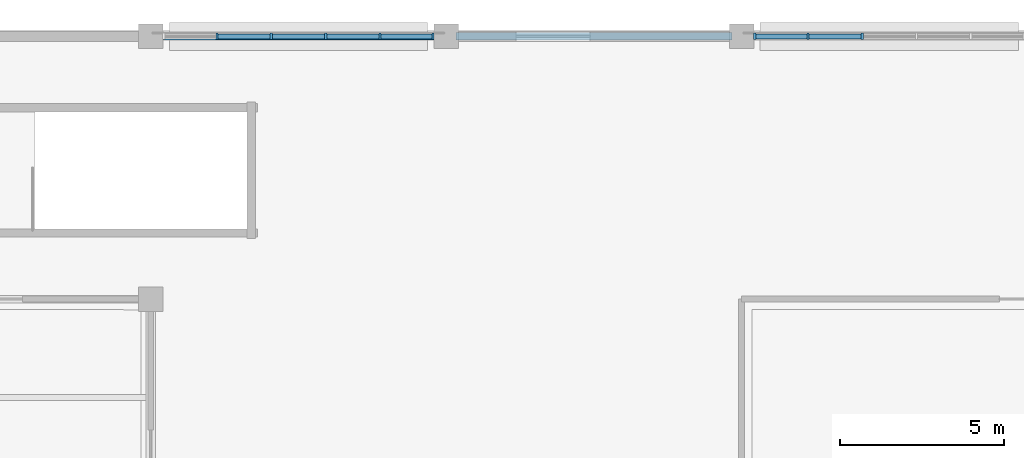
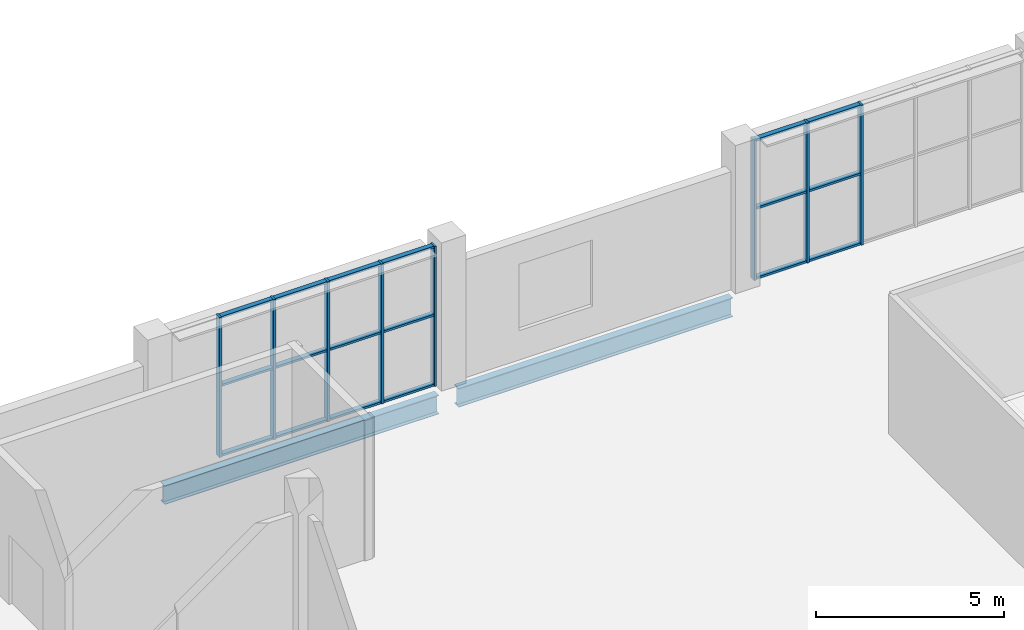
# One storey, part 65 of 152: 26 members, 2 beams, 2 elements without a shape of their own.
"""IFC4 building model written with IfcOpenShell, lengths in metres."""

from ifc_helpers import new_model, si_unit, direction, frame, origin, origin_2d, place, context, subcontext, project, spatial, rectangle, i_section, extrude, material, material_profile, profile_set, type_object, element, aggregate, save


model = new_model("IFC4")

# Units and contexts
model_context = context("Model", 3, precision=1e-05, world=origin(), true_north=direction((0.0, 1.0)))
body_context = subcontext(model_context, "Body", "Model", "MODEL_VIEW")
ifc_project = project(units=[si_unit("LENGTHUNIT", "METRE"), si_unit("AREAUNIT", "SQUARE_METRE"), si_unit("VOLUMEUNIT", "CUBIC_METRE"), si_unit("PLANEANGLEUNIT", "RADIAN"), si_unit("MASSUNIT", "GRAM", prefix="KILO")], contexts=[model_context])

# Site, building, storey
site_placement = place(None, origin())
site = spatial("IfcSite", under=ifc_project, at=site_placement, CompositionType="ELEMENT")
building_placement = place(site_placement, origin())
building = spatial("IfcBuilding", under=site, at=building_placement, Name="Zevraka Park Crest Stadium", CompositionType="ELEMENT")
storey_placement = place(building_placement, frame((0.0, 0.0, 15.0)))
storey = spatial("IfcBuildingStorey", under=building, at=storey_placement, Name="L03", CompositionType="ELEMENT", Elevation=15.0)

# Beams
ifc_material_1 = material(Name="Steel S355", Category="steel")
ifc_material_profile_1 = material_profile(ifc_material_1, i_section(OverallWidth=0.22900390625, OverallDepth=0.612060546875, WebThickness=0.011962890625, FlangeThickness=0.01953125, at=origin_2d()), Name="UKB 610x229x125")
ifc_profile_set_1 = profile_set([ifc_material_profile_1], Name="Steel S355")
beam_type = type_object("IfcBeamType", Name="BG09", PredefinedType="BEAM", material=ifc_profile_set_1)
for number, where, z_axis, x_axis, name in (
    (1, (170.300048828125, 184.0, -0.614013671875), (1.0, 0.0, 0.0), (0.0, 1.0, 0.0), "Wing Girder BG09 L03-1920/W"),
    (2, (179.300048828125, 184.0, -0.614013671875), (1.0, 0.0, 0.0), (0.0, 1.0, 0.0), "Wing Girder BG09 L03-2021/W"),
):
    element("IfcBeam", number, at=place(storey_placement, frame(where, z_axis=z_axis, x_axis=x_axis)), inside=storey, type_object=beam_type, Name=name, PredefinedType="BEAM", context=body_context, shape_type="SweptSolid", body=[
        extrude(i_section(OverallWidth=0.22900390625, OverallDepth=0.612060546875, WebThickness=0.011962890625, FlangeThickness=0.01953125, at=origin_2d()), origin(), (0.0, 0.0, 1.0), 8.39990234375),
    ])

# Curtain wall, members
ifc_material_2 = material(Name="Anodised architectural aluminium and laminated safety glass", Category="aluminium")
curtain_wall_type_1 = type_object("IfcCurtainWallType", Name="CW30", PredefinedType="NOTDEFINED", material=ifc_material_2)
curtain_wall_1_placement = place(storey_placement, origin())
curtain_wall_1 = element("IfcCurtainWall", 3, at=curtain_wall_1_placement, inside=storey, type_object=curtain_wall_type_1, Name="Wing Curtain Wall CW30 L03-NGATE-N3-2", PredefinedType="NOTDEFINED")
ifc_material_3 = material(Name="Anodised architectural aluminium", Category="aluminium")
ifc_material_profile_2 = material_profile(ifc_material_3, rectangle(XDim=0.199951171875, YDim=0.070068359375, at=origin_2d()), Name="ALU MULLION 200x70")
ifc_profile_set_2 = profile_set([ifc_material_profile_2], Name="Anodised architectural aluminium")
member_type_1 = type_object("IfcMemberType", Name="CM03", PredefinedType="MULLION", material=ifc_profile_set_2)
member_1_placement = place(storey_placement, frame((172.01904296875, 184.0, 0.0), z_axis=(0.0, 0.0, 1.0), x_axis=(0.0, 1.0, 0.0)))
member_1 = element("IfcMember", 4, at=member_1_placement, type_object=member_type_1, Name="CW30 mullion 2", PredefinedType="MULLION", context=body_context, shape_type="SweptSolid", body=[
    extrude(rectangle(XDim=0.199951171875, YDim=0.070068359375, at=origin_2d()), origin(), (0.0, 0.0, 1.0), 4.5400390625),
])
member_2_placement = place(storey_placement, frame((173.673095703125, 184.0, 0.0), z_axis=(0.0, 0.0, 1.0), x_axis=(0.0, 1.0, 0.0)))
member_2 = element("IfcMember", 5, at=member_2_placement, type_object=member_type_1, Name="CW30 mullion 3", PredefinedType="MULLION", context=body_context, shape_type="SweptSolid", body=[
    extrude(rectangle(XDim=0.199951171875, YDim=0.070068359375, at=origin_2d()), origin(), (0.0, 0.0, 1.0), 4.5400390625),
])
member_3_placement = place(storey_placement, frame((175.326904296875, 184.0, 0.0), z_axis=(0.0, 0.0, 1.0), x_axis=(0.0, 1.0, 0.0)))
member_3 = element("IfcMember", 6, at=member_3_placement, type_object=member_type_1, Name="CW30 mullion 4", PredefinedType="MULLION", context=body_context, shape_type="SweptSolid", body=[
    extrude(rectangle(XDim=0.199951171875, YDim=0.070068359375, at=origin_2d()), origin(), (0.0, 0.0, 1.0), 4.5400390625),
])
member_4_placement = place(storey_placement, frame((176.98095703125, 184.0, 0.0), z_axis=(0.0, 0.0, 1.0), x_axis=(0.0, 1.0, 0.0)))
member_4 = element("IfcMember", 7, at=member_4_placement, type_object=member_type_1, Name="CW30 mullion 5", PredefinedType="MULLION", context=body_context, shape_type="SweptSolid", body=[
    extrude(rectangle(XDim=0.199951171875, YDim=0.070068359375, at=origin_2d()), origin(), (0.0, 0.0, 1.0), 4.5400390625),
])
member_5_placement = place(storey_placement, frame((178.60009765625, 184.0, 0.0), z_axis=(0.0, 0.0, 1.0), x_axis=(0.0, 1.0, 0.0)))
member_5 = element("IfcMember", 8, at=member_5_placement, type_object=member_type_1, Name="CW30 mullion 6", PredefinedType="MULLION", context=body_context, shape_type="SweptSolid", body=[
    extrude(rectangle(XDim=0.199951171875, YDim=0.070068359375, at=origin_2d()), origin(), (0.0, 0.0, 1.0), 4.5400390625),
])

ifc_material_4 = material(Name="Anodised architectural aluminium and laminated safety glass", Category="aluminium")
curtain_wall_type_2 = type_object("IfcCurtainWallType", Name="CW27", PredefinedType="NOTDEFINED", material=ifc_material_4)
curtain_wall_2_placement = place(storey_placement, origin())
curtain_wall_2 = element("IfcCurtainWall", 9, at=curtain_wall_2_placement, inside=storey, type_object=curtain_wall_type_2, Name="Wing Curtain Wall CW27 L03-NGATE-N3-4", PredefinedType="NOTDEFINED")
member_6_placement = place(storey_placement, frame((188.39990234375, 184.0, 0.0), z_axis=(0.0, 0.0, 1.0), x_axis=(0.0, 1.0, 0.0)))
member_6 = element("IfcMember", 10, at=member_6_placement, type_object=member_type_1, Name="CW27 mullion 1", PredefinedType="MULLION", context=body_context, shape_type="SweptSolid", body=[
    extrude(rectangle(XDim=0.199951171875, YDim=0.070068359375, at=origin_2d()), origin(), (0.0, 0.0, 1.0), 4.5400390625),
])
member_7_placement = place(storey_placement, frame((190.01904296875, 184.0, 0.0), z_axis=(0.0, 0.0, 1.0), x_axis=(0.0, 1.0, 0.0)))
member_7 = element("IfcMember", 11, at=member_7_placement, type_object=member_type_1, Name="CW27 mullion 2", PredefinedType="MULLION", context=body_context, shape_type="SweptSolid", body=[
    extrude(rectangle(XDim=0.199951171875, YDim=0.070068359375, at=origin_2d()), origin(), (0.0, 0.0, 1.0), 4.5400390625),
])
member_8_placement = place(storey_placement, frame((191.673095703125, 184.0, 0.0), z_axis=(0.0, 0.0, 1.0), x_axis=(0.0, 1.0, 0.0)))
member_8 = element("IfcMember", 12, at=member_8_placement, type_object=member_type_1, Name="CW27 mullion 3", PredefinedType="MULLION", context=body_context, shape_type="SweptSolid", body=[
    extrude(rectangle(XDim=0.199951171875, YDim=0.070068359375, at=origin_2d()), origin(), (0.0, 0.0, 1.0), 4.5400390625),
])

# Member
ifc_material_5 = material(Name="Anodised architectural aluminium", Category="aluminium")
ifc_material_profile_3 = material_profile(ifc_material_5, rectangle(XDim=0.14990234375, YDim=0.070068359375, at=origin_2d()), Name="ALU TRANSOM 150x70")
ifc_profile_set_3 = profile_set([ifc_material_profile_3], Name="Anodised architectural aluminium")
member_type_2 = type_object("IfcMemberType", Name="CT03", PredefinedType="USERDEFINED", material=ifc_profile_set_3)
member_9_placement = place(storey_placement, frame((172.053955078125, 184.0, 0.034912109375), z_axis=(1.0, 0.0, 0.0), x_axis=(0.0, 1.0, 0.0)))
member_9 = element("IfcMember", 13, at=member_9_placement, type_object=member_type_2, Name="CW30 transom 2.1", ObjectType="TRANSOM", PredefinedType="USERDEFINED", context=body_context, shape_type="SweptSolid", body=[
    extrude(rectangle(XDim=0.14990234375, YDim=0.070068359375, at=origin_2d()), origin(), (0.0, 0.0, 1.0), 1.583984375),
])

member_10_placement = place(storey_placement, frame((172.053955078125, 184.0, 2.300048828125), z_axis=(1.0, 0.0, 0.0), x_axis=(0.0, 1.0, 0.0)))
member_10 = element("IfcMember", 14, at=member_10_placement, type_object=member_type_2, Name="CW30 transom 2.2", ObjectType="TRANSOM", PredefinedType="USERDEFINED", context=body_context, shape_type="SweptSolid", body=[
    extrude(rectangle(XDim=0.14990234375, YDim=0.070068359375, at=origin_2d()), origin(), (0.0, 0.0, 1.0), 1.583984375),
])

member_11_placement = place(storey_placement, frame((172.053955078125, 184.0, 4.5048828125), z_axis=(1.0, 0.0, 0.0), x_axis=(0.0, 1.0, 0.0)))
member_11 = element("IfcMember", 15, at=member_11_placement, type_object=member_type_2, Name="CW30 transom 2.3", ObjectType="TRANSOM", PredefinedType="USERDEFINED", context=body_context, shape_type="SweptSolid", body=[
    extrude(rectangle(XDim=0.14990234375, YDim=0.070068359375, at=origin_2d()), origin(), (0.0, 0.0, 1.0), 1.583984375),
])

member_12_placement = place(storey_placement, frame((173.7080078125, 184.0, 0.034912109375), z_axis=(1.0, 0.0, 0.0), x_axis=(0.0, 1.0, 0.0)))
member_12 = element("IfcMember", 16, at=member_12_placement, type_object=member_type_2, Name="CW30 transom 3.1", ObjectType="TRANSOM", PredefinedType="USERDEFINED", context=body_context, shape_type="SweptSolid", body=[
    extrude(rectangle(XDim=0.14990234375, YDim=0.070068359375, at=origin_2d()), origin(), (0.0, 0.0, 1.0), 1.583984375),
])

member_13_placement = place(storey_placement, frame((173.7080078125, 184.0, 2.300048828125), z_axis=(1.0, 0.0, 0.0), x_axis=(0.0, 1.0, 0.0)))
member_13 = element("IfcMember", 17, at=member_13_placement, type_object=member_type_2, Name="CW30 transom 3.2", ObjectType="TRANSOM", PredefinedType="USERDEFINED", context=body_context, shape_type="SweptSolid", body=[
    extrude(rectangle(XDim=0.14990234375, YDim=0.070068359375, at=origin_2d()), origin(), (0.0, 0.0, 1.0), 1.583984375),
])

member_14_placement = place(storey_placement, frame((173.7080078125, 184.0, 4.5048828125), z_axis=(1.0, 0.0, 0.0), x_axis=(0.0, 1.0, 0.0)))
member_14 = element("IfcMember", 18, at=member_14_placement, type_object=member_type_2, Name="CW30 transom 3.3", ObjectType="TRANSOM", PredefinedType="USERDEFINED", context=body_context, shape_type="SweptSolid", body=[
    extrude(rectangle(XDim=0.14990234375, YDim=0.070068359375, at=origin_2d()), origin(), (0.0, 0.0, 1.0), 1.583984375),
])

member_15_placement = place(storey_placement, frame((175.362060546875, 184.0, 0.034912109375), z_axis=(1.0, 0.0, 0.0), x_axis=(0.0, 1.0, 0.0)))
member_15 = element("IfcMember", 19, at=member_15_placement, type_object=member_type_2, Name="CW30 transom 4.1", ObjectType="TRANSOM", PredefinedType="USERDEFINED", context=body_context, shape_type="SweptSolid", body=[
    extrude(rectangle(XDim=0.14990234375, YDim=0.070068359375, at=origin_2d()), origin(), (0.0, 0.0, 1.0), 1.583984375),
])

member_16_placement = place(storey_placement, frame((175.362060546875, 184.0, 2.300048828125), z_axis=(1.0, 0.0, 0.0), x_axis=(0.0, 1.0, 0.0)))
member_16 = element("IfcMember", 20, at=member_16_placement, type_object=member_type_2, Name="CW30 transom 4.2", ObjectType="TRANSOM", PredefinedType="USERDEFINED", context=body_context, shape_type="SweptSolid", body=[
    extrude(rectangle(XDim=0.14990234375, YDim=0.070068359375, at=origin_2d()), origin(), (0.0, 0.0, 1.0), 1.583984375),
])

member_17_placement = place(storey_placement, frame((175.362060546875, 184.0, 4.5048828125), z_axis=(1.0, 0.0, 0.0), x_axis=(0.0, 1.0, 0.0)))
member_17 = element("IfcMember", 21, at=member_17_placement, type_object=member_type_2, Name="CW30 transom 4.3", ObjectType="TRANSOM", PredefinedType="USERDEFINED", context=body_context, shape_type="SweptSolid", body=[
    extrude(rectangle(XDim=0.14990234375, YDim=0.070068359375, at=origin_2d()), origin(), (0.0, 0.0, 1.0), 1.583984375),
])

member_18_placement = place(storey_placement, frame((177.01611328125, 184.0, 0.034912109375), z_axis=(1.0, 0.0, 0.0), x_axis=(0.0, 1.0, 0.0)))
member_18 = element("IfcMember", 22, at=member_18_placement, type_object=member_type_2, Name="CW30 transom 5.1", ObjectType="TRANSOM", PredefinedType="USERDEFINED", context=body_context, shape_type="SweptSolid", body=[
    extrude(rectangle(XDim=0.14990234375, YDim=0.070068359375, at=origin_2d()), origin(), (0.0, 0.0, 1.0), 1.548828125),
])

member_19_placement = place(storey_placement, frame((177.01611328125, 184.0, 2.300048828125), z_axis=(1.0, 0.0, 0.0), x_axis=(0.0, 1.0, 0.0)))
member_19 = element("IfcMember", 23, at=member_19_placement, type_object=member_type_2, Name="CW30 transom 5.2", ObjectType="TRANSOM", PredefinedType="USERDEFINED", context=body_context, shape_type="SweptSolid", body=[
    extrude(rectangle(XDim=0.14990234375, YDim=0.070068359375, at=origin_2d()), origin(), (0.0, 0.0, 1.0), 1.548828125),
])

member_20_placement = place(storey_placement, frame((177.01611328125, 184.0, 4.5048828125), z_axis=(1.0, 0.0, 0.0), x_axis=(0.0, 1.0, 0.0)))
member_20 = element("IfcMember", 24, at=member_20_placement, type_object=member_type_2, Name="CW30 transom 5.3", ObjectType="TRANSOM", PredefinedType="USERDEFINED", context=body_context, shape_type="SweptSolid", body=[
    extrude(rectangle(XDim=0.14990234375, YDim=0.070068359375, at=origin_2d()), origin(), (0.0, 0.0, 1.0), 1.548828125),
])

aggregate(curtain_wall_1, [member_1, member_2, member_3, member_4, member_5, member_9, member_10, member_11, member_12, member_13, member_14, member_15, member_16, member_17, member_18, member_19, member_20])

member_21_placement = place(storey_placement, frame((188.43505859375, 184.0, 0.034912109375), z_axis=(1.0, 0.0, 0.0), x_axis=(0.0, 1.0, 0.0)))
member_21 = element("IfcMember", 25, at=member_21_placement, type_object=member_type_2, Name="CW27 transom 1.1", ObjectType="TRANSOM", PredefinedType="USERDEFINED", context=body_context, shape_type="SweptSolid", body=[
    extrude(rectangle(XDim=0.14990234375, YDim=0.070068359375, at=origin_2d()), origin(), (0.0, 0.0, 1.0), 1.548828125),
])

member_22_placement = place(storey_placement, frame((188.43505859375, 184.0, 2.300048828125), z_axis=(1.0, 0.0, 0.0), x_axis=(0.0, 1.0, 0.0)))
member_22 = element("IfcMember", 26, at=member_22_placement, type_object=member_type_2, Name="CW27 transom 1.2", ObjectType="TRANSOM", PredefinedType="USERDEFINED", context=body_context, shape_type="SweptSolid", body=[
    extrude(rectangle(XDim=0.14990234375, YDim=0.070068359375, at=origin_2d()), origin(), (0.0, 0.0, 1.0), 1.548828125),
])

member_23_placement = place(storey_placement, frame((188.43505859375, 184.0, 4.5048828125), z_axis=(1.0, 0.0, 0.0), x_axis=(0.0, 1.0, 0.0)))
member_23 = element("IfcMember", 27, at=member_23_placement, type_object=member_type_2, Name="CW27 transom 1.3", ObjectType="TRANSOM", PredefinedType="USERDEFINED", context=body_context, shape_type="SweptSolid", body=[
    extrude(rectangle(XDim=0.14990234375, YDim=0.070068359375, at=origin_2d()), origin(), (0.0, 0.0, 1.0), 1.548828125),
])

member_24_placement = place(storey_placement, frame((190.053955078125, 184.0, 0.034912109375), z_axis=(1.0, 0.0, 0.0), x_axis=(0.0, 1.0, 0.0)))
member_24 = element("IfcMember", 28, at=member_24_placement, type_object=member_type_2, Name="CW27 transom 2.1", ObjectType="TRANSOM", PredefinedType="USERDEFINED", context=body_context, shape_type="SweptSolid", body=[
    extrude(rectangle(XDim=0.14990234375, YDim=0.070068359375, at=origin_2d()), origin(), (0.0, 0.0, 1.0), 1.583984375),
])

member_25_placement = place(storey_placement, frame((190.053955078125, 184.0, 2.300048828125), z_axis=(1.0, 0.0, 0.0), x_axis=(0.0, 1.0, 0.0)))
member_25 = element("IfcMember", 29, at=member_25_placement, type_object=member_type_2, Name="CW27 transom 2.2", ObjectType="TRANSOM", PredefinedType="USERDEFINED", context=body_context, shape_type="SweptSolid", body=[
    extrude(rectangle(XDim=0.14990234375, YDim=0.070068359375, at=origin_2d()), origin(), (0.0, 0.0, 1.0), 1.583984375),
])

member_26_placement = place(storey_placement, frame((190.053955078125, 184.0, 4.5048828125), z_axis=(1.0, 0.0, 0.0), x_axis=(0.0, 1.0, 0.0)))
member_26 = element("IfcMember", 30, at=member_26_placement, type_object=member_type_2, Name="CW27 transom 2.3", ObjectType="TRANSOM", PredefinedType="USERDEFINED", context=body_context, shape_type="SweptSolid", body=[
    extrude(rectangle(XDim=0.14990234375, YDim=0.070068359375, at=origin_2d()), origin(), (0.0, 0.0, 1.0), 1.583984375),
])

aggregate(curtain_wall_2, [member_6, member_7, member_8, member_21, member_22, member_23, member_24, member_25, member_26])

save(model, "model.ifc")
